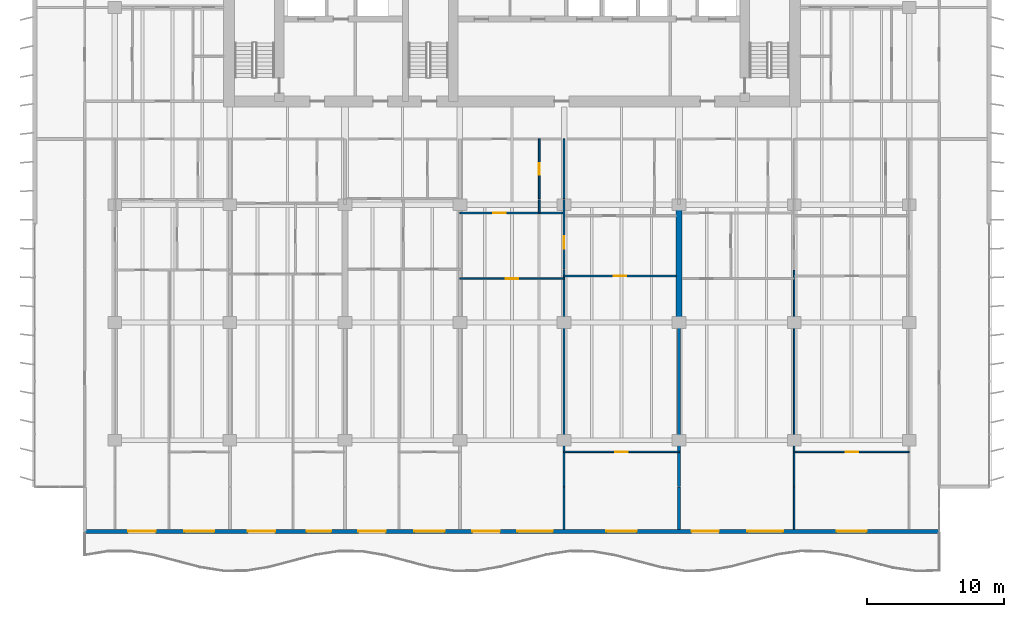
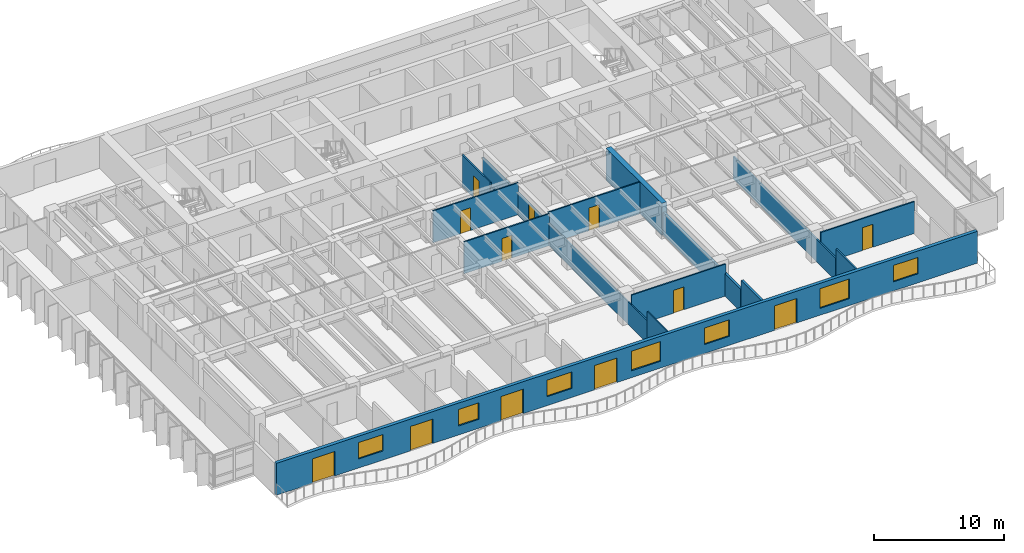
# One storey, part 8 of 16: 17 walls, 12 doors, 7 windows, 19 openings.
"""IFC4 building model written with IfcOpenShell, lengths in metres."""

from ifc_helpers import new_model, si_unit, direction, frame, frame_2d, origin, place, context, subcontext, project, spatial, rectangle, extrude, material, layer, layer_set, type_object, element, fill, save


model = new_model("IFC4")

# Units and contexts
model_context = context("Model", 3, precision=1e-05, world=origin(), true_north=direction((0.0, 1.0)))
body_context = subcontext(model_context, "Body", "Model", "MODEL_VIEW")
ifc_project = project(units=[si_unit("LENGTHUNIT", "METRE"), si_unit("AREAUNIT", "SQUARE_METRE"), si_unit("VOLUMEUNIT", "CUBIC_METRE"), si_unit("PLANEANGLEUNIT", "RADIAN"), si_unit("MASSUNIT", "GRAM", prefix="KILO")], contexts=[model_context])

# Site, building, storey
site_placement = place(None, origin())
site = spatial("IfcSite", under=ifc_project, at=site_placement, CompositionType="ELEMENT")
building_placement = place(site_placement, origin())
building = spatial("IfcBuilding", under=site, at=building_placement, Name="Caelmar Bay Residences", CompositionType="ELEMENT")
storey_placement = place(building_placement, frame((0.0, 0.0, 148.800048828125)))
storey = spatial("IfcBuildingStorey", under=building, at=storey_placement, Name="L41", CompositionType="ELEMENT", Elevation=148.800048828125)

# Wall
ifc_material_1 = material(Name="Concrete f'c 55 MPa (8,000 psi)", Category="concrete")
ifc_layer_1 = layer(ifc_material_1, 0.449951171875)
ifc_layer_set_1 = layer_set([ifc_layer_1], Name="Concrete f'c 55 MPa (8,000 psi)")
wall_type_1 = type_object("IfcWallType", Name="SW-XSLB-450", PredefinedType="SHEAR", material=ifc_layer_set_1)
wall_1_placement = place(storey_placement, frame((51.10009765625, 20.800048828125, 0.0), z_axis=(0.0, 0.0, 1.0), x_axis=(0.0, 1.0, 0.0)))
element("IfcWall", 1, at=wall_1_placement, inside=storey, type_object=wall_type_1, Name="L41 Transverse Cross-Slab Shear Wall E8", PredefinedType="SHEAR", context=body_context, shape_type="SweptSolid", body=[
    extrude(rectangle(XDim=8.599853515625, YDim=0.449951171875, at=frame_2d((4.2998046875, 0.0))), origin(), (0.0, 0.0, 1.0), 3.0),
])

# Wall, openings, doors, windows
ifc_material_2 = material(Name="Precast concrete f'c 40 MPa (6,000 psi)", Category="concrete")
ifc_layer_2 = layer(ifc_material_2, 0.300048828125)
ifc_layer_set_2 = layer_set([ifc_layer_2], Name="Precast concrete f'c 40 MPa (6,000 psi)")
wall_type_2 = type_object("IfcWallType", Name="W-EXT-300", PredefinedType="STANDARD", material=ifc_layer_set_2)
wall_2_placement = place(storey_placement, frame((70.10009765625, 5.550048828125, 0.0), z_axis=(0.0, 0.0, 1.0), x_axis=(-1.0, 0.0, 0.0)))
wall_2 = element("IfcWall", 2, at=wall_2_placement, inside=storey, type_object=wall_type_2, Name="L41 South Bayfront Exterior Wall", PredefinedType="STANDARD", context=body_context, shape_type="SweptSolid", body=[
    extrude(rectangle(XDim=62.400146484375, YDim=0.300048828125, at=frame_2d((31.2001953125, 0.0))), origin(), (0.0, 0.0, 1.0), 3.0),
])
opening_1_placement = place(wall_2_placement, frame((57.22607421875, 0.0, 0.0)))
opening_1 = element("IfcOpeningElement", 3, at=opening_1_placement, cuts=wall_2, Name="Opening L41-BD01", PredefinedType="OPENING", context=body_context, shape_type="SweptSolid", body=[
    extrude(rectangle(XDim=2.0, YDim=2.300048828125, at=frame_2d((1.0, 1.14990234375))), frame((0.0, 0.159912109375, 0.0), z_axis=(0.0, -1.0, 0.0), x_axis=(1.0, 0.0, 0.0)), (0.0, 0.0, 1.0), 0.320068359375),
])
opening_2_placement = place(wall_2_placement, frame((52.926025390625, 0.0, 0.85009765625)))
opening_2 = element("IfcOpeningElement", 4, at=opening_2_placement, cuts=wall_2, Name="Opening WN2", PredefinedType="OPENING", context=body_context, shape_type="SweptSolid", body=[
    extrude(rectangle(XDim=2.199951171875, YDim=1.550048828125, at=frame_2d((1.10009765625, 0.77490234375))), frame((0.0, 0.159912109375, 0.0), z_axis=(0.0, -1.0, 0.0), x_axis=(1.0, 0.0, 0.0)), (0.0, 0.0, 1.0), 0.320068359375),
])
opening_3_placement = place(wall_2_placement, frame((48.489990234375, 0.0, 0.0)))
opening_3 = element("IfcOpeningElement", 5, at=opening_3_placement, cuts=wall_2, Name="Opening L41-BD02", PredefinedType="OPENING", context=body_context, shape_type="SweptSolid", body=[
    extrude(rectangle(XDim=2.0, YDim=2.300048828125, at=frame_2d((1.0, 1.14990234375))), frame((0.0, 0.159912109375, 0.0), z_axis=(0.0, -1.0, 0.0), x_axis=(1.0, 0.0, 0.0)), (0.0, 0.0, 1.0), 0.320068359375),
])
opening_4_placement = place(wall_2_placement, frame((44.389892578125, 0.0, 0.85009765625)))
opening_4 = element("IfcOpeningElement", 6, at=opening_4_placement, cuts=wall_2, Name="Opening WN1", PredefinedType="OPENING", context=body_context, shape_type="SweptSolid", body=[
    extrude(rectangle(XDim=1.800048828125, YDim=1.550048828125, at=frame_2d((0.89990234375, 0.77490234375))), frame((0.0, 0.159912109375, 0.0), z_axis=(0.0, -1.0, 0.0), x_axis=(1.0, 0.0, 0.0)), (0.0, 0.0, 1.0), 0.320068359375),
])
opening_5_placement = place(wall_2_placement, frame((40.426025390625, 0.0, 0.0)))
opening_5 = element("IfcOpeningElement", 7, at=opening_5_placement, cuts=wall_2, Name="Opening L41-BD03", PredefinedType="OPENING", context=body_context, shape_type="SweptSolid", body=[
    extrude(rectangle(XDim=2.0, YDim=2.300048828125, at=frame_2d((1.0, 1.14990234375))), frame((0.0, 0.159912109375, 0.0), z_axis=(0.0, -1.0, 0.0), x_axis=(1.0, 0.0, 0.0)), (0.0, 0.0, 1.0), 0.320068359375),
])
opening_6_placement = place(wall_2_placement, frame((36.1259765625, 0.0, 0.85009765625)))
opening_6 = element("IfcOpeningElement", 8, at=opening_6_placement, cuts=wall_2, Name="Opening WN2", PredefinedType="OPENING", context=body_context, shape_type="SweptSolid", body=[
    extrude(rectangle(XDim=2.199951171875, YDim=1.550048828125, at=frame_2d((1.10009765625, 0.77490234375))), frame((0.0, 0.159912109375, 0.0), z_axis=(0.0, -1.0, 0.0), x_axis=(1.0, 0.0, 0.0)), (0.0, 0.0, 1.0), 0.320068359375),
])
opening_7_placement = place(wall_2_placement, frame((32.090087890625, 0.0, 0.0)))
opening_7 = element("IfcOpeningElement", 9, at=opening_7_placement, cuts=wall_2, Name="Opening L41-BD04", PredefinedType="OPENING", context=body_context, shape_type="SweptSolid", body=[
    extrude(rectangle(XDim=2.0, YDim=2.300048828125, at=frame_2d((1.0, 1.14990234375))), frame((0.0, 0.159912109375, 0.0), z_axis=(0.0, -1.0, 0.0), x_axis=(1.0, 0.0, 0.0)), (0.0, 0.0, 1.0), 0.320068359375),
])
opening_8_placement = place(wall_2_placement, frame((28.2099609375, 0.0, 0.64990234375)))
opening_8 = element("IfcOpeningElement", 10, at=opening_8_placement, cuts=wall_2, Name="Opening WN3", PredefinedType="OPENING", context=body_context, shape_type="SweptSolid", body=[
    extrude(rectangle(XDim=2.60009765625, YDim=1.85009765625, at=frame_2d((1.300048828125, 0.925048828125))), frame((0.0, 0.159912109375, 0.0), z_axis=(0.0, -1.0, 0.0), x_axis=(1.0, 0.0, 0.0)), (0.0, 0.0, 1.0), 0.320068359375),
])
opening_9_placement = place(wall_2_placement, frame((22.10009765625, 0.0, 0.85009765625)))
opening_9 = element("IfcOpeningElement", 11, at=opening_9_placement, cuts=wall_2, Name="Opening WN2", PredefinedType="OPENING", context=body_context, shape_type="SweptSolid", body=[
    extrude(rectangle(XDim=2.199951171875, YDim=1.550048828125, at=frame_2d((1.10009765625, 0.77490234375))), frame((0.0, 0.159912109375, 0.0), z_axis=(0.0, -1.0, 0.0), x_axis=(1.0, 0.0, 0.0)), (0.0, 0.0, 1.0), 0.320068359375),
])
opening_10_placement = place(wall_2_placement, frame((16.090087890625, 0.0, 0.0)))
opening_10 = element("IfcOpeningElement", 12, at=opening_10_placement, cuts=wall_2, Name="Opening L41-BD05", PredefinedType="OPENING", context=body_context, shape_type="SweptSolid", body=[
    extrude(rectangle(XDim=2.0, YDim=2.300048828125, at=frame_2d((1.0, 1.14990234375))), frame((0.0, 0.159912109375, 0.0), z_axis=(0.0, -1.0, 0.0), x_axis=(1.0, 0.0, 0.0)), (0.0, 0.0, 1.0), 0.320068359375),
])
opening_11_placement = place(wall_2_placement, frame((11.409912109375, 0.0, 0.64990234375)))
opening_11 = element("IfcOpeningElement", 13, at=opening_11_placement, cuts=wall_2, Name="Opening WN3", PredefinedType="OPENING", context=body_context, shape_type="SweptSolid", body=[
    extrude(rectangle(XDim=2.60009765625, YDim=1.85009765625, at=frame_2d((1.300048828125, 0.925048828125))), frame((0.0, 0.159912109375, 0.0), z_axis=(0.0, -1.0, 0.0), x_axis=(1.0, 0.0, 0.0)), (0.0, 0.0, 1.0), 0.320068359375),
])
opening_12_placement = place(wall_2_placement, frame((5.300048828125, 0.0, 0.85009765625)))
opening_12 = element("IfcOpeningElement", 14, at=opening_12_placement, cuts=wall_2, Name="Opening WN2", PredefinedType="OPENING", context=body_context, shape_type="SweptSolid", body=[
    extrude(rectangle(XDim=2.199951171875, YDim=1.550048828125, at=frame_2d((1.10009765625, 0.77490234375))), frame((0.0, 0.159912109375, 0.0), z_axis=(0.0, -1.0, 0.0), x_axis=(1.0, 0.0, 0.0)), (0.0, 0.0, 1.0), 0.320068359375),
])
ifc_material_3 = material(Name="Anodised bronze thermally broken sliding glass door", Category="glass")
ifc_layer_3 = layer(ifc_material_3, 0.050048828125)
ifc_layer_set_3 = layer_set([ifc_layer_3], Name="Anodised bronze thermally broken sliding glass door")
door_type_1 = type_object("IfcDoorType", Name="D-BAL-2000", OperationType="DOUBLE_DOOR_SLIDING", PredefinedType="DOOR", material=ifc_layer_set_3)
door_1_placement = place(opening_1_placement, origin())
door_1 = element("IfcDoor", 15, at=door_1_placement, inside=storey, type_object=door_type_1, Name="L41 Residence 01 Living Room Balcony Door", OperationType="DOUBLE_DOOR_SLIDING", OverallHeight=2.300048828125, OverallWidth=2.0, PredefinedType="DOOR", context=body_context, shape_type="SweptSolid", body=[
    extrude(rectangle(XDim=2.0, YDim=2.300048828125, at=frame_2d((1.0, 1.14990234375))), frame((0.0, 0.02490234375, 0.0), z_axis=(0.0, -1.0, 0.0), x_axis=(1.0, 0.0, 0.0)), (0.0, 0.0, 1.0), 0.050048828125),
])
fill(opening_1, door_1)
door_2_placement = place(opening_3_placement, origin())
door_2 = element("IfcDoor", 16, at=door_2_placement, inside=storey, type_object=door_type_1, Name="L41 Residence 02 Penthouse Living Salon Balcony Door", OperationType="DOUBLE_DOOR_SLIDING", OverallHeight=2.300048828125, OverallWidth=2.0, PredefinedType="DOOR", context=body_context, shape_type="SweptSolid", body=[
    extrude(rectangle(XDim=2.0, YDim=2.300048828125, at=frame_2d((1.0, 1.14990234375))), frame((0.0, 0.02490234375, 0.0), z_axis=(0.0, -1.0, 0.0), x_axis=(1.0, 0.0, 0.0)), (0.0, 0.0, 1.0), 0.050048828125),
])
fill(opening_3, door_2)
door_3_placement = place(opening_5_placement, origin())
door_3 = element("IfcDoor", 17, at=door_3_placement, inside=storey, type_object=door_type_1, Name="L41 Residence 03 Living Room Balcony Door", OperationType="DOUBLE_DOOR_SLIDING", OverallHeight=2.300048828125, OverallWidth=2.0, PredefinedType="DOOR", context=body_context, shape_type="SweptSolid", body=[
    extrude(rectangle(XDim=2.0, YDim=2.300048828125, at=frame_2d((1.0, 1.14990234375))), frame((0.0, 0.02490234375, 0.0), z_axis=(0.0, -1.0, 0.0), x_axis=(1.0, 0.0, 0.0)), (0.0, 0.0, 1.0), 0.050048828125),
])
fill(opening_5, door_3)
door_4_placement = place(opening_7_placement, origin())
door_4 = element("IfcDoor", 18, at=door_4_placement, inside=storey, type_object=door_type_1, Name="L41 Residence 04 Penthouse Living Salon Balcony Door", OperationType="DOUBLE_DOOR_SLIDING", OverallHeight=2.300048828125, OverallWidth=2.0, PredefinedType="DOOR", context=body_context, shape_type="SweptSolid", body=[
    extrude(rectangle(XDim=2.0, YDim=2.300048828125, at=frame_2d((1.0, 1.14990234375))), frame((0.0, 0.02490234375, 0.0), z_axis=(0.0, -1.0, 0.0), x_axis=(1.0, 0.0, 0.0)), (0.0, 0.0, 1.0), 0.050048828125),
])
fill(opening_7, door_4)
door_5_placement = place(opening_10_placement, origin())
door_5 = element("IfcDoor", 19, at=door_5_placement, inside=storey, type_object=door_type_1, Name="L41 Residence 05 Penthouse Living Salon Balcony Door", OperationType="DOUBLE_DOOR_SLIDING", OverallHeight=2.300048828125, OverallWidth=2.0, PredefinedType="DOOR", context=body_context, shape_type="SweptSolid", body=[
    extrude(rectangle(XDim=2.0, YDim=2.300048828125, at=frame_2d((1.0, 1.14990234375))), frame((0.0, 0.02490234375, 0.0), z_axis=(0.0, -1.0, 0.0), x_axis=(1.0, 0.0, 0.0)), (0.0, 0.0, 1.0), 0.050048828125),
])
fill(opening_10, door_5)
ifc_material_4 = material(Name="Bronze aluminium frame with laminated low-E glass", Category="aluminium")
ifc_layer_4 = layer(ifc_material_4, 0.06005859375)
ifc_layer_set_4 = layer_set([ifc_layer_4], Name="Bronze aluminium frame with laminated low-E glass")
window_type_1 = type_object("IfcWindowType", Name="WIN-BR-1800", PartitioningType="SINGLE_PANEL", PredefinedType="WINDOW", material=ifc_layer_set_4)
window_1_placement = place(opening_4_placement, origin())
window_1 = element("IfcWindow", 20, at=window_1_placement, inside=storey, type_object=window_type_1, Name="L41 Residence 02 Primary Bedroom Window", OverallHeight=1.550048828125, OverallWidth=1.800048828125, PartitioningType="SINGLE_PANEL", PredefinedType="WINDOW", context=body_context, shape_type="SweptSolid", body=[
    extrude(rectangle(XDim=1.800048828125, YDim=1.550048828125, at=frame_2d((0.89990234375, 0.77490234375))), frame((0.0, 0.030029296875, 0.0), z_axis=(0.0, -1.0, 0.0), x_axis=(1.0, 0.0, 0.0)), (0.0, 0.0, 1.0), 0.06005859375),
])
fill(opening_4, window_1)
ifc_layer_5 = layer(ifc_material_4, 0.06005859375)
ifc_layer_set_5 = layer_set([ifc_layer_5], Name="Bronze aluminium frame with laminated low-E glass")
window_type_2 = type_object("IfcWindowType", Name="WIN-BR-2200", PartitioningType="SINGLE_PANEL", PredefinedType="WINDOW", material=ifc_layer_set_5)
window_2_placement = place(opening_2_placement, origin())
window_2 = element("IfcWindow", 21, at=window_2_placement, inside=storey, type_object=window_type_2, Name="L41 Residence 01 Primary Bedroom Window", OverallHeight=1.550048828125, OverallWidth=2.199951171875, PartitioningType="SINGLE_PANEL", PredefinedType="WINDOW", context=body_context, shape_type="SweptSolid", body=[
    extrude(rectangle(XDim=2.199951171875, YDim=1.550048828125, at=frame_2d((1.10009765625, 0.77490234375))), frame((0.0, 0.030029296875, 0.0), z_axis=(0.0, -1.0, 0.0), x_axis=(1.0, 0.0, 0.0)), (0.0, 0.0, 1.0), 0.06005859375),
])
fill(opening_2, window_2)
window_3_placement = place(opening_6_placement, origin())
window_3 = element("IfcWindow", 22, at=window_3_placement, inside=storey, type_object=window_type_2, Name="L41 Residence 03 Primary Bedroom Window", OverallHeight=1.550048828125, OverallWidth=2.199951171875, PartitioningType="SINGLE_PANEL", PredefinedType="WINDOW", context=body_context, shape_type="SweptSolid", body=[
    extrude(rectangle(XDim=2.199951171875, YDim=1.550048828125, at=frame_2d((1.10009765625, 0.77490234375))), frame((0.0, 0.030029296875, 0.0), z_axis=(0.0, -1.0, 0.0), x_axis=(1.0, 0.0, 0.0)), (0.0, 0.0, 1.0), 0.06005859375),
])
fill(opening_6, window_3)
window_4_placement = place(opening_9_placement, origin())
window_4 = element("IfcWindow", 23, at=window_4_placement, inside=storey, type_object=window_type_2, Name="L41 Residence 04 Primary Bedroom 1 Window", OverallHeight=1.550048828125, OverallWidth=2.199951171875, PartitioningType="SINGLE_PANEL", PredefinedType="WINDOW", context=body_context, shape_type="SweptSolid", body=[
    extrude(rectangle(XDim=2.199951171875, YDim=1.550048828125, at=frame_2d((1.10009765625, 0.77490234375))), frame((0.0, 0.030029296875, 0.0), z_axis=(0.0, -1.0, 0.0), x_axis=(1.0, 0.0, 0.0)), (0.0, 0.0, 1.0), 0.06005859375),
])
fill(opening_9, window_4)
window_5_placement = place(opening_12_placement, origin())
window_5 = element("IfcWindow", 24, at=window_5_placement, inside=storey, type_object=window_type_2, Name="L41 Residence 05 Primary Bedroom 1 Window", OverallHeight=1.550048828125, OverallWidth=2.199951171875, PartitioningType="SINGLE_PANEL", PredefinedType="WINDOW", context=body_context, shape_type="SweptSolid", body=[
    extrude(rectangle(XDim=2.199951171875, YDim=1.550048828125, at=frame_2d((1.10009765625, 0.77490234375))), frame((0.0, 0.030029296875, 0.0), z_axis=(0.0, -1.0, 0.0), x_axis=(1.0, 0.0, 0.0)), (0.0, 0.0, 1.0), 0.06005859375),
])
fill(opening_12, window_5)
ifc_layer_6 = layer(ifc_material_4, 0.06005859375)
ifc_layer_set_6 = layer_set([ifc_layer_6], Name="Bronze aluminium frame with laminated low-E glass")
window_type_3 = type_object("IfcWindowType", Name="WIN-LIV-2600", PartitioningType="SINGLE_PANEL", PredefinedType="WINDOW", material=ifc_layer_set_6)
window_6_placement = place(opening_8_placement, origin())
window_6 = element("IfcWindow", 25, at=window_6_placement, inside=storey, type_object=window_type_3, Name="L41 Residence 04 Penthouse Living Salon Panoramic Window", OverallHeight=1.85009765625, OverallWidth=2.60009765625, PartitioningType="SINGLE_PANEL", PredefinedType="WINDOW", context=body_context, shape_type="SweptSolid", body=[
    extrude(rectangle(XDim=2.60009765625, YDim=1.85009765625, at=frame_2d((1.300048828125, 0.925048828125))), frame((0.0, 0.030029296875, 0.0), z_axis=(0.0, -1.0, 0.0), x_axis=(1.0, 0.0, 0.0)), (0.0, 0.0, 1.0), 0.06005859375),
])
fill(opening_8, window_6)
window_7_placement = place(opening_11_placement, origin())
window_7 = element("IfcWindow", 26, at=window_7_placement, inside=storey, type_object=window_type_3, Name="L41 Residence 05 Penthouse Living Salon Panoramic Window", OverallHeight=1.85009765625, OverallWidth=2.60009765625, PartitioningType="SINGLE_PANEL", PredefinedType="WINDOW", context=body_context, shape_type="SweptSolid", body=[
    extrude(rectangle(XDim=2.60009765625, YDim=1.85009765625, at=frame_2d((1.300048828125, 0.925048828125))), frame((0.0, 0.030029296875, 0.0), z_axis=(0.0, -1.0, 0.0), x_axis=(1.0, 0.0, 0.0)), (0.0, 0.0, 1.0), 0.06005859375),
])
fill(opening_11, window_7)

# Wall
ifc_material_5 = material(Name="Acoustic metal-stud gypsum partition 120 mm")
ifc_layer_7 = layer(ifc_material_5, 0.1201171875)
ifc_layer_set_7 = layer_set([ifc_layer_7], Name="Acoustic metal-stud gypsum partition 120 mm")
wall_type_3 = type_object("IfcWallType", Name="W-PRT-120", PredefinedType="PARTITIONING", material=ifc_layer_set_7)
wall_3_placement = place(storey_placement, frame((40.885009765625, 28.800048828125, 0.0), z_axis=(0.0, 0.0, 1.0), x_axis=(0.0, 1.0, 0.0)))
element("IfcWall", 27, at=wall_3_placement, inside=storey, type_object=wall_type_3, Name="L41 Partition Wall V047", PredefinedType="PARTITIONING", context=body_context, shape_type="SweptSolid", body=[
    extrude(rectangle(XDim=0.97998046875, YDim=0.1201171875, at=frame_2d((0.489990234375, 0.0))), origin(), (0.0, 0.0, 1.0), 2.62890625),
])

# Wall, opening, door
wall_4_placement = place(storey_placement, frame((40.885009765625, 29.840087890625, 0.0), z_axis=(0.0, 0.0, 1.0), x_axis=(0.0, 1.0, 0.0)))
wall_4 = element("IfcWall", 28, at=wall_4_placement, inside=storey, type_object=wall_type_3, Name="L41 Partition Wall V048", PredefinedType="PARTITIONING", context=body_context, shape_type="SweptSolid", body=[
    extrude(rectangle(XDim=4.35986328125, YDim=0.1201171875, at=frame_2d((2.179931640625, 0.0))), origin(), (0.0, 0.0, 1.0), 3.0),
])
opening_13_placement = place(wall_4_placement, frame((1.7548828125, 0.0, 0.0)))
opening_13 = element("IfcOpeningElement", 29, at=opening_13_placement, cuts=wall_4, Name="Opening D-L41-147", PredefinedType="OPENING", context=body_context, shape_type="SweptSolid", body=[
    extrude(rectangle(XDim=0.85009765625, YDim=2.10009765625, at=frame_2d((0.425048828125, 1.050048828125))), frame((0.0, 0.070068359375, 0.0), z_axis=(0.0, -1.0, 0.0), x_axis=(1.0, 0.0, 0.0)), (0.0, 0.0, 1.0), 0.14013671875),
])
ifc_material_6 = material(Name="Solid walnut timber interior door leaf and frame", Category="wood")
ifc_layer_8 = layer(ifc_material_6, 0.050048828125)
ifc_layer_set_8 = layer_set([ifc_layer_8], Name="Solid walnut timber interior door leaf and frame")
door_type_2 = type_object("IfcDoorType", Name="D-BATH-850", OperationType="NOTDEFINED", PredefinedType="DOOR", material=ifc_layer_set_8)
door_6_placement = place(opening_13_placement, origin())
door_6 = element("IfcDoor", 30, at=door_6_placement, inside=storey, type_object=door_type_2, Name="L41 Residence 04 Guest Bathroom Door", OperationType="SINGLE_SWING_RIGHT", OverallHeight=2.10009765625, OverallWidth=0.85009765625, PredefinedType="DOOR", context=body_context, shape_type="SweptSolid", body=[
    extrude(rectangle(XDim=0.85009765625, YDim=2.10009765625, at=frame_2d((0.425048828125, 1.050048828125))), frame((0.0, 0.02490234375, 0.0), z_axis=(0.0, -1.0, 0.0), x_axis=(1.0, 0.0, 0.0)), (0.0, 0.0, 1.0), 0.050048828125),
])
fill(opening_13, door_6)

# Walls
wall_5_placement = place(storey_placement, frame((42.699951171875, 5.695068359375, 0.0), z_axis=(0.0, 0.0, 1.0), x_axis=(0.0, 1.0, 0.0)))
element("IfcWall", 31, at=wall_5_placement, inside=storey, type_object=wall_type_3, Name="L41 Partition Wall V049", PredefinedType="PARTITIONING", context=body_context, shape_type="SweptSolid", body=[
    extrude(rectangle(XDim=3.10498046875, YDim=0.1201171875, at=frame_2d((1.552490234375, 0.0))), origin(), (0.0, 0.0, 1.0), 3.0),
])
wall_6_placement = place(storey_placement, frame((42.699951171875, 8.840087890625, 0.0), z_axis=(0.0, 0.0, 1.0), x_axis=(0.0, 1.0, 0.0)))
element("IfcWall", 32, at=wall_6_placement, inside=storey, type_object=wall_type_3, Name="L41 Partition Wall V050", PredefinedType="PARTITIONING", context=body_context, shape_type="SweptSolid", body=[
    extrude(rectangle(XDim=15.789794921875, YDim=0.1201171875, at=frame_2d((7.89501953125, 0.0))), origin(), (0.0, 0.0, 1.0), 2.1240234375),
])

# Wall, opening, door
wall_7_placement = place(storey_placement, frame((42.699951171875, 24.68994140625, 0.0), z_axis=(0.0, 0.0, 1.0), x_axis=(0.0, 1.0, 0.0)))
wall_7 = element("IfcWall", 33, at=wall_7_placement, inside=storey, type_object=wall_type_3, Name="L41 Partition Wall V051", PredefinedType="PARTITIONING", context=body_context, shape_type="SweptSolid", body=[
    extrude(rectangle(XDim=5.090087890625, YDim=0.1201171875, at=frame_2d((2.544921875, 0.0))), origin(), (0.0, 0.0, 1.0), 2.1240234375),
])
opening_14_placement = place(wall_7_placement, frame((1.5048828125, 0.0, 0.0)))
opening_14 = element("IfcOpeningElement", 34, at=opening_14_placement, cuts=wall_7, Name="Opening D-L41-150", PredefinedType="OPENING", context=body_context, shape_type="SweptSolid", body=[
    extrude(rectangle(XDim=0.89990234375, YDim=2.073974609375, at=frame_2d((0.449951171875, 1.037109375))), frame((0.0, 0.070068359375, 0.0), z_axis=(0.0, -1.0, 0.0), x_axis=(1.0, 0.0, 0.0)), (0.0, 0.0, 1.0), 0.14013671875),
])
ifc_layer_9 = layer(ifc_material_6, 0.050048828125)
ifc_layer_set_9 = layer_set([ifc_layer_9], Name="Solid walnut timber interior door leaf and frame")
door_type_3 = type_object("IfcDoorType", Name="D-ROOM-900", OperationType="NOTDEFINED", PredefinedType="DOOR", material=ifc_layer_set_9)
door_7_placement = place(opening_14_placement, origin())
door_7 = element("IfcDoor", 35, at=door_7_placement, inside=storey, type_object=door_type_3, Name="L41 Residence 04 Atelier Office 1 Door", OperationType="SINGLE_SWING_LEFT", OverallHeight=2.073974609375, OverallWidth=0.89990234375, PredefinedType="DOOR", context=body_context, shape_type="SweptSolid", body=[
    extrude(rectangle(XDim=0.89990234375, YDim=2.073974609375, at=frame_2d((0.449951171875, 1.037109375))), frame((0.0, 0.02490234375, 0.0), z_axis=(0.0, -1.0, 0.0), x_axis=(1.0, 0.0, 0.0)), (0.0, 0.0, 1.0), 0.050048828125),
])
fill(opening_14, door_7)

# Walls
wall_8_placement = place(storey_placement, frame((42.699951171875, 29.840087890625, 0.0), z_axis=(0.0, 0.0, 1.0), x_axis=(0.0, 1.0, 0.0)))
element("IfcWall", 36, at=wall_8_placement, inside=storey, type_object=wall_type_3, Name="L41 Partition Wall V052", PredefinedType="PARTITIONING", context=body_context, shape_type="SweptSolid", body=[
    extrude(rectangle(XDim=4.35986328125, YDim=0.1201171875, at=frame_2d((2.179931640625, 0.0))), origin(), (0.0, 0.0, 1.0), 2.1240234375),
])
wall_9_placement = place(storey_placement, frame((59.5, 5.695068359375, 0.0), z_axis=(0.0, 0.0, 1.0), x_axis=(0.0, 1.0, 0.0)))
element("IfcWall", 37, at=wall_9_placement, inside=storey, type_object=wall_type_3, Name="L41 Partition Wall V072", PredefinedType="PARTITIONING", context=body_context, shape_type="SweptSolid", body=[
    extrude(rectangle(XDim=3.10498046875, YDim=0.1201171875, at=frame_2d((1.552490234375, 0.0))), origin(), (0.0, 0.0, 1.0), 3.0),
])
wall_10_placement = place(storey_placement, frame((59.5, 8.840087890625, 0.0), z_axis=(0.0, 0.0, 1.0), x_axis=(0.0, 1.0, 0.0)))
element("IfcWall", 38, at=wall_10_placement, inside=storey, type_object=wall_type_3, Name="L41 Partition Wall V073", PredefinedType="PARTITIONING", context=body_context, shape_type="SweptSolid", body=[
    extrude(rectangle(XDim=15.789794921875, YDim=0.1201171875, at=frame_2d((7.89501953125, 0.0))), origin(), (0.0, 0.0, 1.0), 2.1240234375),
])

# Wall, opening, door
wall_11_placement = place(storey_placement, frame((42.699951171875, 11.35009765625, 0.0), z_axis=(0.0, 0.0, 1.0), x_axis=(1.0, 0.0, 0.0)))
wall_11 = element("IfcWall", 39, at=wall_11_placement, inside=storey, type_object=wall_type_3, Name="L41 Partition Wall H093", PredefinedType="PARTITIONING", context=body_context, shape_type="SweptSolid", body=[
    extrude(rectangle(XDim=8.400146484375, YDim=0.1201171875, at=frame_2d((4.2001953125, 0.0))), origin(), (0.0, 0.0, 1.0), 3.0),
])
opening_15_placement = place(wall_11_placement, frame((3.75, 0.0, 0.0)))
opening_15 = element("IfcOpeningElement", 40, at=opening_15_placement, cuts=wall_11, Name="Opening D-L41-154", PredefinedType="OPENING", context=body_context, shape_type="SweptSolid", body=[
    extrude(rectangle(XDim=0.89990234375, YDim=2.14990234375, at=frame_2d((0.449951171875, 1.074951171875))), frame((0.0, 0.070068359375, 0.0), z_axis=(0.0, -1.0, 0.0), x_axis=(1.0, 0.0, 0.0)), (0.0, 0.0, 1.0), 0.14013671875),
])
door_8_placement = place(opening_15_placement, origin())
door_8 = element("IfcDoor", 41, at=door_8_placement, inside=storey, type_object=door_type_3, Name="L41 Residence 04 Primary Bedroom 1 Door", OperationType="SINGLE_SWING_LEFT", OverallHeight=2.14990234375, OverallWidth=0.89990234375, PredefinedType="DOOR", context=body_context, shape_type="SweptSolid", body=[
    extrude(rectangle(XDim=0.89990234375, YDim=2.14990234375, at=frame_2d((0.449951171875, 1.074951171875))), frame((0.0, 0.02490234375, 0.0), z_axis=(0.0, -1.0, 0.0), x_axis=(1.0, 0.0, 0.0)), (0.0, 0.0, 1.0), 0.050048828125),
])
fill(opening_15, door_8)

wall_12_placement = place(storey_placement, frame((59.550048828125, 11.35009765625, 0.0), z_axis=(0.0, 0.0, 1.0), x_axis=(1.0, 0.0, 0.0)))
wall_12 = element("IfcWall", 42, at=wall_12_placement, inside=storey, type_object=wall_type_3, Name="L41 Partition Wall H094", PredefinedType="PARTITIONING", context=body_context, shape_type="SweptSolid", body=[
    extrude(rectangle(XDim=8.349853515625, YDim=0.1201171875, at=frame_2d((4.1748046875, 0.0))), origin(), (0.0, 0.0, 1.0), 3.0),
])
opening_16_placement = place(wall_12_placement, frame((3.72509765625, 0.0, 0.0)))
opening_16 = element("IfcOpeningElement", 43, at=opening_16_placement, cuts=wall_12, Name="Opening D-L41-164", PredefinedType="OPENING", context=body_context, shape_type="SweptSolid", body=[
    extrude(rectangle(XDim=0.89990234375, YDim=2.14990234375, at=frame_2d((0.449951171875, 1.074951171875))), frame((0.0, 0.070068359375, 0.0), z_axis=(0.0, -1.0, 0.0), x_axis=(1.0, 0.0, 0.0)), (0.0, 0.0, 1.0), 0.14013671875),
])
door_9_placement = place(opening_16_placement, origin())
door_9 = element("IfcDoor", 44, at=door_9_placement, inside=storey, type_object=door_type_3, Name="L41 Residence 05 Primary Bedroom 1 Door", OperationType="SINGLE_SWING_LEFT", OverallHeight=2.14990234375, OverallWidth=0.89990234375, PredefinedType="DOOR", context=body_context, shape_type="SweptSolid", body=[
    extrude(rectangle(XDim=0.89990234375, YDim=2.14990234375, at=frame_2d((0.449951171875, 1.074951171875))), frame((0.0, 0.02490234375, 0.0), z_axis=(0.0, -1.0, 0.0), x_axis=(1.0, 0.0, 0.0)), (0.0, 0.0, 1.0), 0.050048828125),
])
fill(opening_16, door_9)

wall_13_placement = place(storey_placement, frame((35.10009765625, 24.0, 0.0), z_axis=(0.0, 0.0, 1.0), x_axis=(1.0, 0.0, 0.0)))
wall_13 = element("IfcWall", 45, at=wall_13_placement, inside=storey, type_object=wall_type_3, Name="L41 Partition Wall H095", PredefinedType="PARTITIONING", context=body_context, shape_type="SweptSolid", body=[
    extrude(rectangle(XDim=7.599853515625, YDim=0.1201171875, at=frame_2d((3.7998046875, 0.0))), origin(), (0.0, 0.0, 1.0), 3.0),
])
opening_17_placement = place(wall_13_placement, frame((3.35009765625, 0.0, 0.0)))
opening_17 = element("IfcOpeningElement", 46, at=opening_17_placement, cuts=wall_13, Name="Opening D-L41-149", PredefinedType="OPENING", context=body_context, shape_type="SweptSolid", body=[
    extrude(rectangle(XDim=0.89990234375, YDim=2.14990234375, at=frame_2d((0.449951171875, 1.074951171875))), frame((0.0, 0.070068359375, 0.0), z_axis=(0.0, -1.0, 0.0), x_axis=(1.0, 0.0, 0.0)), (0.0, 0.0, 1.0), 0.14013671875),
])
door_10_placement = place(opening_17_placement, origin())
door_10 = element("IfcDoor", 47, at=door_10_placement, inside=storey, type_object=door_type_3, Name="L41 Residence 04 Penthouse Living Salon Door", OperationType="SINGLE_SWING_RIGHT", OverallHeight=2.14990234375, OverallWidth=0.89990234375, PredefinedType="DOOR", context=body_context, shape_type="SweptSolid", body=[
    extrude(rectangle(XDim=0.89990234375, YDim=2.14990234375, at=frame_2d((0.449951171875, 1.074951171875))), frame((0.0, 0.02490234375, 0.0), z_axis=(0.0, -1.0, 0.0), x_axis=(1.0, 0.0, 0.0)), (0.0, 0.0, 1.0), 0.050048828125),
])
fill(opening_17, door_10)

wall_14_placement = place(storey_placement, frame((42.705078125, 24.199951171875, 0.0), z_axis=(0.0, 0.0, 1.0), x_axis=(1.0, 0.0, 0.0)))
wall_14 = element("IfcWall", 48, at=wall_14_placement, inside=storey, type_object=wall_type_3, Name="L41 Partition Wall H097", PredefinedType="PARTITIONING", context=body_context, shape_type="SweptSolid", body=[
    extrude(rectangle(XDim=8.1748046875, YDim=0.1201171875, at=frame_2d((4.08740234375, 0.0))), origin(), (0.0, 0.0, 1.0), 3.0),
])
opening_18_placement = place(wall_14_placement, frame((3.637451171875, 0.0, 0.0)))
opening_18 = element("IfcOpeningElement", 49, at=opening_18_placement, cuts=wall_14, Name="Opening D-L41-153", PredefinedType="OPENING", context=body_context, shape_type="SweptSolid", body=[
    extrude(rectangle(XDim=0.89990234375, YDim=2.14990234375, at=frame_2d((0.449951171875, 1.074951171875))), frame((0.0, 0.070068359375, 0.0), z_axis=(0.0, -1.0, 0.0), x_axis=(1.0, 0.0, 0.0)), (0.0, 0.0, 1.0), 0.14013671875),
])
door_11_placement = place(opening_18_placement, origin())
door_11 = element("IfcDoor", 50, at=door_11_placement, inside=storey, type_object=door_type_3, Name="L41 Residence 04 Penthouse Sitting Salon 1 Door", OperationType="SINGLE_SWING_RIGHT", OverallHeight=2.14990234375, OverallWidth=0.89990234375, PredefinedType="DOOR", context=body_context, shape_type="SweptSolid", body=[
    extrude(rectangle(XDim=0.89990234375, YDim=2.14990234375, at=frame_2d((0.449951171875, 1.074951171875))), frame((0.0, 0.02490234375, 0.0), z_axis=(0.0, -1.0, 0.0), x_axis=(1.0, 0.0, 0.0)), (0.0, 0.0, 1.0), 0.050048828125),
])
fill(opening_18, door_11)

wall_15_placement = place(storey_placement, frame((35.10009765625, 28.800048828125, 0.0), z_axis=(0.0, 0.0, 1.0), x_axis=(1.0, 0.0, 0.0)))
wall_15 = element("IfcWall", 51, at=wall_15_placement, inside=storey, type_object=wall_type_3, Name="L41 Partition Wall H104", PredefinedType="PARTITIONING", context=body_context, shape_type="SweptSolid", body=[
    extrude(rectangle(XDim=7.594970703125, YDim=0.1201171875, at=frame_2d((3.79736328125, 0.0))), origin(), (0.0, 0.0, 1.0), 3.0),
])
opening_19_placement = place(wall_15_placement, frame((2.4423828125, 0.0, 0.0)))
opening_19 = element("IfcOpeningElement", 52, at=opening_19_placement, cuts=wall_15, Name="Opening D-L41-148", PredefinedType="OPENING", context=body_context, shape_type="SweptSolid", body=[
    extrude(rectangle(XDim=0.89990234375, YDim=2.14990234375, at=frame_2d((0.449951171875, 1.074951171875))), frame((0.0, 0.070068359375, 0.0), z_axis=(0.0, -1.0, 0.0), x_axis=(1.0, 0.0, 0.0)), (0.0, 0.0, 1.0), 0.14013671875),
])
door_12_placement = place(opening_19_placement, origin())
door_12 = element("IfcDoor", 53, at=door_12_placement, inside=storey, type_object=door_type_3, Name="L41 Residence 04 Kitchen Door", OperationType="SINGLE_SWING_LEFT", OverallHeight=2.14990234375, OverallWidth=0.89990234375, PredefinedType="DOOR", context=body_context, shape_type="SweptSolid", body=[
    extrude(rectangle(XDim=0.89990234375, YDim=2.14990234375, at=frame_2d((0.449951171875, 1.074951171875))), frame((0.0, 0.02490234375, 0.0), z_axis=(0.0, -1.0, 0.0), x_axis=(1.0, 0.0, 0.0)), (0.0, 0.0, 1.0), 0.050048828125),
])
fill(opening_19, door_12)

# Walls
ifc_material_7 = material(Name="Acoustic twin-stud fire-rated inter-tenancy partition 200 mm")
ifc_layer_10 = layer(ifc_material_7, 0.199951171875)
ifc_layer_set_10 = layer_set([ifc_layer_10], Name="Acoustic twin-stud fire-rated inter-tenancy partition 200 mm")
wall_type_4 = type_object("IfcWallType", Name="W-PTY-200", PredefinedType="PARTITIONING", material=ifc_layer_set_10)
wall_16_placement = place(storey_placement, frame((51.10009765625, 5.695068359375, 0.0), z_axis=(0.0, 0.0, 1.0), x_axis=(0.0, 1.0, 0.0)))
element("IfcWall", 54, at=wall_16_placement, inside=storey, type_object=wall_type_4, Name="L41 Partition Wall V061", PredefinedType="PARTITIONING", context=body_context, shape_type="SweptSolid", body=[
    extrude(rectangle(XDim=3.10498046875, YDim=0.199951171875, at=frame_2d((1.552490234375, 0.0))), origin(), (0.0, 0.0, 1.0), 3.0),
])
wall_17_placement = place(storey_placement, frame((51.10009765625, 8.840087890625, 0.0), z_axis=(0.0, 0.0, 1.0), x_axis=(0.0, 1.0, 0.0)))
element("IfcWall", 55, at=wall_17_placement, inside=storey, type_object=wall_type_4, Name="L41 Partition Wall V062", PredefinedType="PARTITIONING", context=body_context, shape_type="SweptSolid", body=[
    extrude(rectangle(XDim=11.954833984375, YDim=0.199951171875, at=frame_2d((5.9775390625, 0.0))), origin(), (0.0, 0.0, 1.0), 2.1240234375),
])

save(model, "model.ifc")
